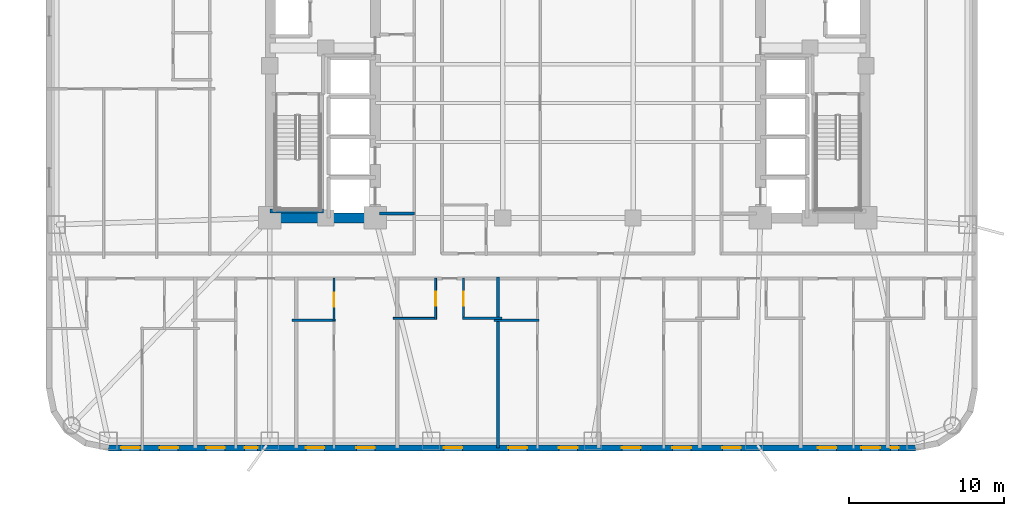
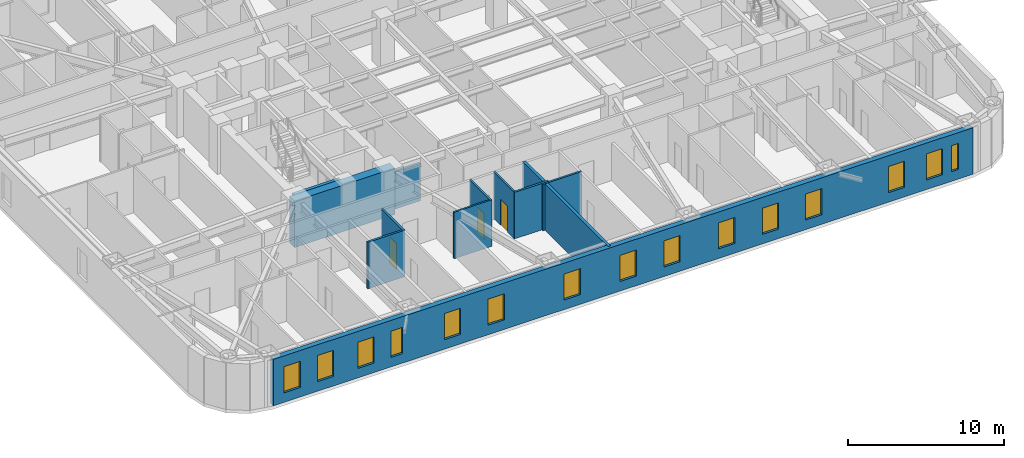
# One storey, part 3 of 11: 15 windows, 12 walls, 3 doors, 18 openings.
"""IFC4 building model written with IfcOpenShell, lengths in metres."""

from ifc_helpers import new_model, si_unit, direction, frame, frame_2d, origin, place, context, subcontext, project, spatial, rectangle, extrude, material, layer, layer_set, type_object, element, fill, save


model = new_model("IFC4")

# Units and contexts
model_context = context("Model", 3, precision=1e-05, world=origin(), true_north=direction((0.0, 1.0)))
body_context = subcontext(model_context, "Body", "Model", "MODEL_VIEW")
ifc_project = project(units=[si_unit("LENGTHUNIT", "METRE"), si_unit("AREAUNIT", "SQUARE_METRE"), si_unit("VOLUMEUNIT", "CUBIC_METRE"), si_unit("PLANEANGLEUNIT", "RADIAN"), si_unit("MASSUNIT", "GRAM", prefix="KILO")], contexts=[model_context])

# Site, building, storey
site_placement = place(None, origin())
site = spatial("IfcSite", under=ifc_project, at=site_placement, CompositionType="ELEMENT")
building_placement = place(site_placement, origin())
building = spatial("IfcBuilding", under=site, at=building_placement, Name="Voryun Gate Residences", CompositionType="ELEMENT")
storey_placement = place(building_placement, frame((0.0, 0.0, 49.39990234375)))
storey = spatial("IfcBuildingStorey", under=building, at=storey_placement, Name="L11", CompositionType="ELEMENT", Elevation=49.39990234375)

# Walls
ifc_material_1 = material(Name="Concrete C60/75", Category="concrete")
ifc_layer_1 = layer(ifc_material_1, 0.64990234375, Name="CW_CORE_650")
ifc_layer_set_1 = layer_set([ifc_layer_1], Name="Concrete C60/75")
wall_type_1 = type_object("IfcWallType", Name="CW_CORE_650", PredefinedType="SHEAR", material=ifc_layer_set_1)
wall_1_placement = place(storey_placement, frame((-19.52490234375, -7.39990234375, 0.0), z_axis=(0.0, 0.0, 1.0), x_axis=(1.0, 0.0, 0.0)))
element("IfcWall", 1, at=wall_1_placement, inside=storey, type_object=wall_type_1, Name="L11 Core shear wall CW-L11-WS", PredefinedType="SHEAR", context=body_context, shape_type="SweptSolid", body=[
    extrude(rectangle(XDim=7.449951171875, YDim=0.64990234375, at=frame_2d((3.72509765625, 0.0))), origin(), (0.0, 0.0, 1.0), 3.650146484375),
])
ifc_material_2 = material(Name="Gypsum acoustic fireboard")
ifc_layer_2 = layer(ifc_material_2, 0.179931640625, Name="W_CORR_RATED_180")
ifc_layer_set_2 = layer_set([ifc_layer_2], Name="Gypsum acoustic fireboard")
wall_type_2 = type_object("IfcWallType", Name="W_CORR_RATED_180", PredefinedType="PARTITIONING", material=ifc_layer_set_2)
wall_2_placement = place(storey_placement, frame((-12.14990234375, -7.1201171875, 0.0), z_axis=(0.0, 0.0, 1.0), x_axis=(1.0, 0.0, 0.0)))
element("IfcWall", 2, at=wall_2_placement, inside=storey, type_object=wall_type_2, Name="Partition wall WP-L11-PLBS-W", PredefinedType="PARTITIONING", context=body_context, shape_type="SweptSolid", body=[
    extrude(rectangle(XDim=2.27001953125, YDim=0.179931640625, at=frame_2d((1.135009765625, 0.0))), origin(), (0.0, 0.0, 1.0), 2.940185546875),
])

# Wall, openings, windows
ifc_material_3 = material(Name="Granite masonry", Category="masonry")
ifc_layer_3 = layer(ifc_material_3, 0.3798828125, Name="W_EXT_GRANITE_380")
ifc_layer_set_3 = layer_set([ifc_layer_3], Name="Granite masonry")
wall_type_3 = type_object("IfcWallType", Name="W_EXT_GRANITE_380", PredefinedType="ELEMENTEDWALL", material=ifc_layer_set_3)
wall_3_placement = place(storey_placement, frame((22.38134765625, -22.2099609375, 0.0), z_axis=(0.0, 0.0, 1.0), x_axis=(-1.0, 0.0, 0.0)))
wall_3 = element("IfcWall", 3, at=wall_3_placement, inside=storey, type_object=wall_type_3, Name="Exterior wall WEXT-L11-01", PredefinedType="ELEMENTEDWALL", context=body_context, shape_type="SweptSolid", body=[
    extrude(rectangle(XDim=51.962646484375, YDim=0.3798828125, at=frame_2d((25.9814453125, 0.0))), origin(), (0.0, 0.0, 1.0), 3.650146484375),
])
opening_1_placement = place(wall_3_placement, frame((49.951904296875, 0.0, 0.75)))
opening_1 = element("IfcOpeningElement", 4, at=opening_1_placement, cuts=wall_3, Name="Opening WN6", PredefinedType="OPENING", context=body_context, shape_type="SweptSolid", body=[
    extrude(rectangle(XDim=1.199951171875, YDim=2.050048828125, at=frame_2d((0.60009765625, 1.02490234375))), frame((0.0, 0.199951171875, 0.0), z_axis=(0.0, -1.0, 0.0), x_axis=(1.0, 0.0, 0.0)), (0.0, 0.0, 1.0), 0.39990234375),
])
opening_2_placement = place(wall_3_placement, frame((47.486328125, 0.0, 0.75)))
opening_2 = element("IfcOpeningElement", 5, at=opening_2_placement, cuts=wall_3, Name="Opening WN6", PredefinedType="OPENING", context=body_context, shape_type="SweptSolid", body=[
    extrude(rectangle(XDim=1.199951171875, YDim=2.050048828125, at=frame_2d((0.60009765625, 1.02490234375))), frame((0.0, 0.199951171875, 0.0), z_axis=(0.0, -1.0, 0.0), x_axis=(1.0, 0.0, 0.0)), (0.0, 0.0, 1.0), 0.39990234375),
])
opening_3_placement = place(wall_3_placement, frame((42.361328125, 0.0, 0.75)))
opening_3 = element("IfcOpeningElement", 6, at=opening_3_placement, cuts=wall_3, Name="Opening WN9", PredefinedType="OPENING", context=body_context, shape_type="SweptSolid", body=[
    extrude(rectangle(XDim=0.85009765625, YDim=2.050048828125, at=frame_2d((0.425048828125, 1.02490234375))), frame((0.0, 0.199951171875, 0.0), z_axis=(0.0, -1.0, 0.0), x_axis=(1.0, 0.0, 0.0)), (0.0, 0.0, 1.0), 0.39990234375),
])
opening_4_placement = place(wall_3_placement, frame((44.476318359375, 0.0, 0.75)))
opening_4 = element("IfcOpeningElement", 7, at=opening_4_placement, cuts=wall_3, Name="Opening WN6", PredefinedType="OPENING", context=body_context, shape_type="SweptSolid", body=[
    extrude(rectangle(XDim=1.199951171875, YDim=2.050048828125, at=frame_2d((0.60009765625, 1.02490234375))), frame((0.0, 0.199951171875, 0.0), z_axis=(0.0, -1.0, 0.0), x_axis=(1.0, 0.0, 0.0)), (0.0, 0.0, 1.0), 0.39990234375),
])
opening_5_placement = place(wall_3_placement, frame((34.811279296875, 0.0, 0.75)))
opening_5 = element("IfcOpeningElement", 8, at=opening_5_placement, cuts=wall_3, Name="Opening WN6", PredefinedType="OPENING", context=body_context, shape_type="SweptSolid", body=[
    extrude(rectangle(XDim=1.199951171875, YDim=2.050048828125, at=frame_2d((0.60009765625, 1.02490234375))), frame((0.0, 0.199951171875, 0.0), z_axis=(0.0, -1.0, 0.0), x_axis=(1.0, 0.0, 0.0)), (0.0, 0.0, 1.0), 0.39990234375),
])
opening_6_placement = place(wall_3_placement, frame((38.061279296875, 0.0, 0.75)))
opening_6 = element("IfcOpeningElement", 9, at=opening_6_placement, cuts=wall_3, Name="Opening WN6", PredefinedType="OPENING", context=body_context, shape_type="SweptSolid", body=[
    extrude(rectangle(XDim=1.199951171875, YDim=2.050048828125, at=frame_2d((0.60009765625, 1.02490234375))), frame((0.0, 0.199951171875, 0.0), z_axis=(0.0, -1.0, 0.0), x_axis=(1.0, 0.0, 0.0)), (0.0, 0.0, 1.0), 0.39990234375),
])
opening_7_placement = place(wall_3_placement, frame((29.17138671875, 0.0, 0.75)))
opening_7 = element("IfcOpeningElement", 10, at=opening_7_placement, cuts=wall_3, Name="Opening WN6", PredefinedType="OPENING", context=body_context, shape_type="SweptSolid", body=[
    extrude(rectangle(XDim=1.199951171875, YDim=2.050048828125, at=frame_2d((0.60009765625, 1.02490234375))), frame((0.0, 0.199951171875, 0.0), z_axis=(0.0, -1.0, 0.0), x_axis=(1.0, 0.0, 0.0)), (0.0, 0.0, 1.0), 0.39990234375),
])
opening_8_placement = place(wall_3_placement, frame((21.75732421875, 0.0, 0.75)))
opening_8 = element("IfcOpeningElement", 11, at=opening_8_placement, cuts=wall_3, Name="Opening WN6", PredefinedType="OPENING", context=body_context, shape_type="SweptSolid", body=[
    extrude(rectangle(XDim=1.199951171875, YDim=2.050048828125, at=frame_2d((0.60009765625, 1.02490234375))), frame((0.0, 0.199951171875, 0.0), z_axis=(0.0, -1.0, 0.0), x_axis=(1.0, 0.0, 0.0)), (0.0, 0.0, 1.0), 0.39990234375),
])
opening_9_placement = place(wall_3_placement, frame((25.00732421875, 0.0, 0.75)))
opening_9 = element("IfcOpeningElement", 12, at=opening_9_placement, cuts=wall_3, Name="Opening WN6", PredefinedType="OPENING", context=body_context, shape_type="SweptSolid", body=[
    extrude(rectangle(XDim=1.199951171875, YDim=2.050048828125, at=frame_2d((0.60009765625, 1.02490234375))), frame((0.0, 0.199951171875, 0.0), z_axis=(0.0, -1.0, 0.0), x_axis=(1.0, 0.0, 0.0)), (0.0, 0.0, 1.0), 0.39990234375),
])
opening_10_placement = place(wall_3_placement, frame((17.69677734375, 0.0, 0.75)))
opening_10 = element("IfcOpeningElement", 13, at=opening_10_placement, cuts=wall_3, Name="Opening WN6", PredefinedType="OPENING", context=body_context, shape_type="SweptSolid", body=[
    extrude(rectangle(XDim=1.199951171875, YDim=2.050048828125, at=frame_2d((0.60009765625, 1.02490234375))), frame((0.0, 0.199951171875, 0.0), z_axis=(0.0, -1.0, 0.0), x_axis=(1.0, 0.0, 0.0)), (0.0, 0.0, 1.0), 0.39990234375),
])
opening_11_placement = place(wall_3_placement, frame((14.44677734375, 0.0, 0.75)))
opening_11 = element("IfcOpeningElement", 14, at=opening_11_placement, cuts=wall_3, Name="Opening WN6", PredefinedType="OPENING", context=body_context, shape_type="SweptSolid", body=[
    extrude(rectangle(XDim=1.199951171875, YDim=2.050048828125, at=frame_2d((0.60009765625, 1.02490234375))), frame((0.0, 0.199951171875, 0.0), z_axis=(0.0, -1.0, 0.0), x_axis=(1.0, 0.0, 0.0)), (0.0, 0.0, 1.0), 0.39990234375),
])
opening_12_placement = place(wall_3_placement, frame((11.231201171875, 0.0, 0.75)))
opening_12 = element("IfcOpeningElement", 15, at=opening_12_placement, cuts=wall_3, Name="Opening WN6", PredefinedType="OPENING", context=body_context, shape_type="SweptSolid", body=[
    extrude(rectangle(XDim=1.199951171875, YDim=2.050048828125, at=frame_2d((0.60009765625, 1.02490234375))), frame((0.0, 0.199951171875, 0.0), z_axis=(0.0, -1.0, 0.0), x_axis=(1.0, 0.0, 0.0)), (0.0, 0.0, 1.0), 0.39990234375),
])
opening_13_placement = place(wall_3_placement, frame((5.081787109375, 0.0, 0.75)))
opening_13 = element("IfcOpeningElement", 16, at=opening_13_placement, cuts=wall_3, Name="Opening WN6", PredefinedType="OPENING", context=body_context, shape_type="SweptSolid", body=[
    extrude(rectangle(XDim=1.199951171875, YDim=2.050048828125, at=frame_2d((0.60009765625, 1.02490234375))), frame((0.0, 0.199951171875, 0.0), z_axis=(0.0, -1.0, 0.0), x_axis=(1.0, 0.0, 0.0)), (0.0, 0.0, 1.0), 0.39990234375),
])
opening_14_placement = place(wall_3_placement, frame((2.27734375, 0.0, 0.75)))
opening_14 = element("IfcOpeningElement", 17, at=opening_14_placement, cuts=wall_3, Name="Opening WN6", PredefinedType="OPENING", context=body_context, shape_type="SweptSolid", body=[
    extrude(rectangle(XDim=1.199951171875, YDim=2.050048828125, at=frame_2d((0.60009765625, 1.02490234375))), frame((0.0, 0.199951171875, 0.0), z_axis=(0.0, -1.0, 0.0), x_axis=(1.0, 0.0, 0.0)), (0.0, 0.0, 1.0), 0.39990234375),
])
opening_15_placement = place(wall_3_placement, frame((1.071044921875, 0.0, 0.75)))
opening_15 = element("IfcOpeningElement", 18, at=opening_15_placement, cuts=wall_3, Name="Opening WN10", PredefinedType="OPENING", context=body_context, shape_type="SweptSolid", body=[
    extrude(rectangle(XDim=0.52001953125, YDim=2.050048828125, at=frame_2d((0.260009765625, 1.02490234375))), frame((0.0, 0.199951171875, 0.0), z_axis=(0.0, -1.0, 0.0), x_axis=(1.0, 0.0, 0.0)), (0.0, 0.0, 1.0), 0.39990234375),
])
ifc_material_4 = material(Name="Laminated low-E glass", Category="glass")
window_type_1 = type_object("IfcWindowType", Name="WN_PAGODA_LANCET_520", PartitioningType="SINGLE_PANEL", PredefinedType="WINDOW", material=ifc_material_4)
window_1_placement = place(opening_15_placement, origin())
window_1 = element("IfcWindow", 19, at=window_1_placement, inside=storey, type_object=window_type_1, Name="Window WN-L11-DWFIX-27", OverallHeight=2.050048828125, OverallWidth=0.52001953125, PartitioningType="SINGLE_PANEL", PredefinedType="WINDOW", context=body_context, shape_type="SweptSolid", body=[
    extrude(rectangle(XDim=0.52001953125, YDim=2.050048828125, at=frame_2d((0.260009765625, 1.02490234375))), frame((0.0, 0.030029296875, 0.0), z_axis=(0.0, -1.0, 0.0), x_axis=(1.0, 0.0, 0.0)), (0.0, 0.0, 1.0), 0.06005859375),
])
fill(opening_15, window_1)
ifc_material_5 = material(Name="Laminated low-E glass", Category="glass")
window_type_2 = type_object("IfcWindowType", Name="WN_POD_SLOT_1200", PartitioningType="SINGLE_PANEL", PredefinedType="WINDOW", material=ifc_material_5)
window_2_placement = place(opening_1_placement, origin())
window_2 = element("IfcWindow", 20, at=window_2_placement, inside=storey, type_object=window_type_2, Name="Window WN-L11-DWFIX-13", OverallHeight=2.050048828125, OverallWidth=1.199951171875, PartitioningType="SINGLE_PANEL", PredefinedType="WINDOW", context=body_context, shape_type="SweptSolid", body=[
    extrude(rectangle(XDim=1.199951171875, YDim=2.050048828125, at=frame_2d((0.60009765625, 1.02490234375))), frame((0.0, 0.030029296875, 0.0), z_axis=(0.0, -1.0, 0.0), x_axis=(1.0, 0.0, 0.0)), (0.0, 0.0, 1.0), 0.06005859375),
])
fill(opening_1, window_2)
window_3_placement = place(opening_2_placement, origin())
window_3 = element("IfcWindow", 21, at=window_3_placement, inside=storey, type_object=window_type_2, Name="Window WN-L11-DWFIX-14", OverallHeight=2.050048828125, OverallWidth=1.199951171875, PartitioningType="SINGLE_PANEL", PredefinedType="WINDOW", context=body_context, shape_type="SweptSolid", body=[
    extrude(rectangle(XDim=1.199951171875, YDim=2.050048828125, at=frame_2d((0.60009765625, 1.02490234375))), frame((0.0, 0.030029296875, 0.0), z_axis=(0.0, -1.0, 0.0), x_axis=(1.0, 0.0, 0.0)), (0.0, 0.0, 1.0), 0.06005859375),
])
fill(opening_2, window_3)
window_4_placement = place(opening_4_placement, origin())
window_4 = element("IfcWindow", 22, at=window_4_placement, inside=storey, type_object=window_type_2, Name="Window WN-L11-DWFIX-16", OverallHeight=2.050048828125, OverallWidth=1.199951171875, PartitioningType="SINGLE_PANEL", PredefinedType="WINDOW", context=body_context, shape_type="SweptSolid", body=[
    extrude(rectangle(XDim=1.199951171875, YDim=2.050048828125, at=frame_2d((0.60009765625, 1.02490234375))), frame((0.0, 0.030029296875, 0.0), z_axis=(0.0, -1.0, 0.0), x_axis=(1.0, 0.0, 0.0)), (0.0, 0.0, 1.0), 0.06005859375),
])
fill(opening_4, window_4)
window_5_placement = place(opening_5_placement, origin())
window_5 = element("IfcWindow", 23, at=window_5_placement, inside=storey, type_object=window_type_2, Name="Window WN-L11-DWFIX-17", OverallHeight=2.050048828125, OverallWidth=1.199951171875, PartitioningType="SINGLE_PANEL", PredefinedType="WINDOW", context=body_context, shape_type="SweptSolid", body=[
    extrude(rectangle(XDim=1.199951171875, YDim=2.050048828125, at=frame_2d((0.60009765625, 1.02490234375))), frame((0.0, 0.030029296875, 0.0), z_axis=(0.0, -1.0, 0.0), x_axis=(1.0, 0.0, 0.0)), (0.0, 0.0, 1.0), 0.06005859375),
])
fill(opening_5, window_5)
window_6_placement = place(opening_6_placement, origin())
window_6 = element("IfcWindow", 24, at=window_6_placement, inside=storey, type_object=window_type_2, Name="Window WN-L11-DWFIX-18", OverallHeight=2.050048828125, OverallWidth=1.199951171875, PartitioningType="SINGLE_PANEL", PredefinedType="WINDOW", context=body_context, shape_type="SweptSolid", body=[
    extrude(rectangle(XDim=1.199951171875, YDim=2.050048828125, at=frame_2d((0.60009765625, 1.02490234375))), frame((0.0, 0.030029296875, 0.0), z_axis=(0.0, -1.0, 0.0), x_axis=(1.0, 0.0, 0.0)), (0.0, 0.0, 1.0), 0.06005859375),
])
fill(opening_6, window_6)
window_7_placement = place(opening_7_placement, origin())
window_7 = element("IfcWindow", 25, at=window_7_placement, inside=storey, type_object=window_type_2, Name="Window WN-L11-DWFIX-19", OverallHeight=2.050048828125, OverallWidth=1.199951171875, PartitioningType="SINGLE_PANEL", PredefinedType="WINDOW", context=body_context, shape_type="SweptSolid", body=[
    extrude(rectangle(XDim=1.199951171875, YDim=2.050048828125, at=frame_2d((0.60009765625, 1.02490234375))), frame((0.0, 0.030029296875, 0.0), z_axis=(0.0, -1.0, 0.0), x_axis=(1.0, 0.0, 0.0)), (0.0, 0.0, 1.0), 0.06005859375),
])
fill(opening_7, window_7)
window_8_placement = place(opening_8_placement, origin())
window_8 = element("IfcWindow", 26, at=window_8_placement, inside=storey, type_object=window_type_2, Name="Window WN-L11-DWFIX-20", OverallHeight=2.050048828125, OverallWidth=1.199951171875, PartitioningType="SINGLE_PANEL", PredefinedType="WINDOW", context=body_context, shape_type="SweptSolid", body=[
    extrude(rectangle(XDim=1.199951171875, YDim=2.050048828125, at=frame_2d((0.60009765625, 1.02490234375))), frame((0.0, 0.030029296875, 0.0), z_axis=(0.0, -1.0, 0.0), x_axis=(1.0, 0.0, 0.0)), (0.0, 0.0, 1.0), 0.06005859375),
])
fill(opening_8, window_8)
window_9_placement = place(opening_9_placement, origin())
window_9 = element("IfcWindow", 27, at=window_9_placement, inside=storey, type_object=window_type_2, Name="Window WN-L11-DWFIX-21", OverallHeight=2.050048828125, OverallWidth=1.199951171875, PartitioningType="SINGLE_PANEL", PredefinedType="WINDOW", context=body_context, shape_type="SweptSolid", body=[
    extrude(rectangle(XDim=1.199951171875, YDim=2.050048828125, at=frame_2d((0.60009765625, 1.02490234375))), frame((0.0, 0.030029296875, 0.0), z_axis=(0.0, -1.0, 0.0), x_axis=(1.0, 0.0, 0.0)), (0.0, 0.0, 1.0), 0.06005859375),
])
fill(opening_9, window_9)
window_10_placement = place(opening_10_placement, origin())
window_10 = element("IfcWindow", 28, at=window_10_placement, inside=storey, type_object=window_type_2, Name="Window WN-L11-DWFIX-22", OverallHeight=2.050048828125, OverallWidth=1.199951171875, PartitioningType="SINGLE_PANEL", PredefinedType="WINDOW", context=body_context, shape_type="SweptSolid", body=[
    extrude(rectangle(XDim=1.199951171875, YDim=2.050048828125, at=frame_2d((0.60009765625, 1.02490234375))), frame((0.0, 0.030029296875, 0.0), z_axis=(0.0, -1.0, 0.0), x_axis=(1.0, 0.0, 0.0)), (0.0, 0.0, 1.0), 0.06005859375),
])
fill(opening_10, window_10)
window_11_placement = place(opening_11_placement, origin())
window_11 = element("IfcWindow", 29, at=window_11_placement, inside=storey, type_object=window_type_2, Name="Window WN-L11-DWFIX-23", OverallHeight=2.050048828125, OverallWidth=1.199951171875, PartitioningType="SINGLE_PANEL", PredefinedType="WINDOW", context=body_context, shape_type="SweptSolid", body=[
    extrude(rectangle(XDim=1.199951171875, YDim=2.050048828125, at=frame_2d((0.60009765625, 1.02490234375))), frame((0.0, 0.030029296875, 0.0), z_axis=(0.0, -1.0, 0.0), x_axis=(1.0, 0.0, 0.0)), (0.0, 0.0, 1.0), 0.06005859375),
])
fill(opening_11, window_11)
window_12_placement = place(opening_12_placement, origin())
window_12 = element("IfcWindow", 30, at=window_12_placement, inside=storey, type_object=window_type_2, Name="Window WN-L11-DWFIX-24", OverallHeight=2.050048828125, OverallWidth=1.199951171875, PartitioningType="SINGLE_PANEL", PredefinedType="WINDOW", context=body_context, shape_type="SweptSolid", body=[
    extrude(rectangle(XDim=1.199951171875, YDim=2.050048828125, at=frame_2d((0.60009765625, 1.02490234375))), frame((0.0, 0.030029296875, 0.0), z_axis=(0.0, -1.0, 0.0), x_axis=(1.0, 0.0, 0.0)), (0.0, 0.0, 1.0), 0.06005859375),
])
fill(opening_12, window_12)
window_13_placement = place(opening_13_placement, origin())
window_13 = element("IfcWindow", 31, at=window_13_placement, inside=storey, type_object=window_type_2, Name="Window WN-L11-DWFIX-25", OverallHeight=2.050048828125, OverallWidth=1.199951171875, PartitioningType="SINGLE_PANEL", PredefinedType="WINDOW", context=body_context, shape_type="SweptSolid", body=[
    extrude(rectangle(XDim=1.199951171875, YDim=2.050048828125, at=frame_2d((0.60009765625, 1.02490234375))), frame((0.0, 0.030029296875, 0.0), z_axis=(0.0, -1.0, 0.0), x_axis=(1.0, 0.0, 0.0)), (0.0, 0.0, 1.0), 0.06005859375),
])
fill(opening_13, window_13)
window_14_placement = place(opening_14_placement, origin())
window_14 = element("IfcWindow", 32, at=window_14_placement, inside=storey, type_object=window_type_2, Name="Window WN-L11-DWFIX-26", OverallHeight=2.050048828125, OverallWidth=1.199951171875, PartitioningType="SINGLE_PANEL", PredefinedType="WINDOW", context=body_context, shape_type="SweptSolid", body=[
    extrude(rectangle(XDim=1.199951171875, YDim=2.050048828125, at=frame_2d((0.60009765625, 1.02490234375))), frame((0.0, 0.030029296875, 0.0), z_axis=(0.0, -1.0, 0.0), x_axis=(1.0, 0.0, 0.0)), (0.0, 0.0, 1.0), 0.06005859375),
])
fill(opening_14, window_14)
ifc_material_6 = material(Name="Laminated low-E glass", Category="glass")
window_type_3 = type_object("IfcWindowType", Name="WN_RES_CASEMENT_850", PartitioningType="SINGLE_PANEL", PredefinedType="WINDOW", material=ifc_material_6)
window_15_placement = place(opening_3_placement, origin())
window_15 = element("IfcWindow", 33, at=window_15_placement, inside=storey, type_object=window_type_3, Name="Window WN-L11-DWFIX-15", OverallHeight=2.050048828125, OverallWidth=0.85009765625, PartitioningType="SINGLE_PANEL", PredefinedType="WINDOW", context=body_context, shape_type="SweptSolid", body=[
    extrude(rectangle(XDim=0.85009765625, YDim=2.050048828125, at=frame_2d((0.425048828125, 1.02490234375))), frame((0.0, 0.030029296875, 0.0), z_axis=(0.0, -1.0, 0.0), x_axis=(1.0, 0.0, 0.0)), (0.0, 0.0, 1.0), 0.06005859375),
])
fill(opening_3, window_15)

# Walls
ifc_material_7 = material(Name="Concrete C40/50", Category="concrete")
ifc_layer_4 = layer(ifc_material_7, 0.219970703125, Name="W_PARTY_ACOUSTIC_220")
ifc_layer_set_4 = layer_set([ifc_layer_4], Name="Concrete C40/50")
wall_type_4 = type_object("IfcWallType", Name="W_PARTY_ACOUSTIC_220", PredefinedType="PARTITIONING", material=ifc_layer_set_4)
wall_4_placement = place(storey_placement, frame((-4.5, -22.2099609375, 0.0), z_axis=(0.0, 0.0, 1.0), x_axis=(0.0, 1.0, 0.0)))
element("IfcWall", 34, at=wall_4_placement, inside=storey, type_object=wall_type_4, Name="Partition wall WP-L11-SPTY-4", PredefinedType="PARTITIONING", context=body_context, shape_type="SweptSolid", body=[
    extrude(rectangle(XDim=10.989990234375, YDim=0.219970703125, at=frame_2d((5.4951171875, 0.0))), origin(), (0.0, 0.0, 1.0), 3.650146484375),
])
ifc_material_8 = material(Name="Concrete C50/60", Category="concrete")
ifc_layer_5 = layer(ifc_material_8, 0.25, Name="W_SHAFT_RC250")
ifc_layer_set_5 = layer_set([ifc_layer_5], Name="Concrete C50/60")
wall_type_5 = type_object("IfcWallType", Name="W_SHAFT_RC250", PredefinedType="SOLIDWALL", material=ifc_layer_set_5)
wall_5_placement = place(storey_placement, frame((-19.199951171875, -6.965087890625, 0.0), z_axis=(0.0, 0.0, 1.0), x_axis=(1.0, 0.0, 0.0)))
element("IfcWall", 35, at=wall_5_placement, inside=storey, type_object=wall_type_5, Name="L11 Stair shaft structural wall W-STS", PredefinedType="SOLIDWALL", context=body_context, shape_type="SweptSolid", body=[
    extrude(rectangle(XDim=3.4599609375, YDim=0.25, at=frame_2d((1.72998046875, 0.0))), origin(), (0.0, 0.0, 1.0), 3.650146484375),
])

# Wall, opening, door
ifc_material_9 = material(Name="Gypsum acoustic partition")
ifc_layer_6 = layer(ifc_material_9, 0.125, Name="W_UNIT_PART_125")
ifc_layer_set_6 = layer_set([ifc_layer_6], Name="Gypsum acoustic partition")
wall_type_6 = type_object("IfcWallType", Name="W_UNIT_PART_125", PredefinedType="PARTITIONING", material=ifc_layer_set_6)
wall_6_placement = place(storey_placement, frame((-8.51611328125, -13.929931640625, 0.0), z_axis=(0.0, 0.0, 1.0), x_axis=(0.0, 1.0, 0.0)))
wall_6 = element("IfcWall", 36, at=wall_6_placement, inside=storey, type_object=wall_type_6, Name="Partition wall WP-L11-S4-CVK", PredefinedType="PARTITIONING", context=body_context, shape_type="SweptSolid", body=[
    extrude(rectangle(XDim=2.64990234375, YDim=0.125, at=frame_2d((1.324951171875, 0.0))), origin(), (0.0, 0.0, 1.0), 3.650146484375),
])
opening_16_placement = place(wall_6_placement, frame((0.875, 0.0, 0.0)))
opening_16 = element("IfcOpeningElement", 37, at=opening_16_placement, cuts=wall_6, Name="Opening D-INT-2", PredefinedType="OPENING", context=body_context, shape_type="SweptSolid", body=[
    extrude(rectangle(XDim=0.89990234375, YDim=2.050048828125, at=frame_2d((0.449951171875, 1.02490234375))), frame((0.0, 0.072509765625, 0.0), z_axis=(0.0, -1.0, 0.0), x_axis=(1.0, 0.0, 0.0)), (0.0, 0.0, 1.0), 0.14501953125),
])
ifc_material_10 = material(Name="Architectural oak veneer")
door_type = type_object("IfcDoorType", Name="DR_INT_BATH_900", OperationType="NOTDEFINED", PredefinedType="DOOR", material=ifc_material_10)
door_1_placement = place(opening_16_placement, origin())
door_1 = element("IfcDoor", 38, at=door_1_placement, inside=storey, type_object=door_type, Name="Door DR-L11-S4-DK", OperationType="SINGLE_SWING_LEFT", OverallHeight=2.050048828125, OverallWidth=0.89990234375, PredefinedType="DOOR", context=body_context, shape_type="SweptSolid", body=[
    extrude(rectangle(XDim=0.89990234375, YDim=2.050048828125, at=frame_2d((0.449951171875, 1.02490234375))), frame((0.0, 0.02490234375, 0.0), z_axis=(0.0, -1.0, 0.0), x_axis=(1.0, 0.0, 0.0)), (0.0, 0.0, 1.0), 0.050048828125),
])
fill(opening_16, door_1)

# Walls
wall_7_placement = place(storey_placement, frame((-11.260009765625, -13.8701171875, 0.0), z_axis=(0.0, 0.0, 1.0), x_axis=(1.0, 0.0, 0.0)))
element("IfcWall", 39, at=wall_7_placement, inside=storey, type_object=wall_type_6, Name="Partition wall WP-L11-S4-CHK", PredefinedType="PARTITIONING", context=body_context, shape_type="SweptSolid", body=[
    extrude(rectangle(XDim=2.803955078125, YDim=0.125, at=frame_2d((1.40185546875, 0.0))), origin(), (0.0, 0.0, 1.0), 3.650146484375),
])
ifc_material_11 = material(Name="Gypsum moisture-resistant partition")
ifc_layer_7 = layer(ifc_material_11, 0.14990234375, Name="W_WET_PLUMB_150")
ifc_layer_set_7 = layer_set([ifc_layer_7], Name="Gypsum moisture-resistant partition")
wall_type_7 = type_object("IfcWallType", Name="W_WET_PLUMB_150", PredefinedType="PLUMBINGWALL", material=ifc_layer_set_7)
wall_8_placement = place(storey_placement, frame((-17.760009765625, -14.0, 0.0), z_axis=(0.0, 0.0, 1.0), x_axis=(1.0, 0.0, 0.0)))
element("IfcWall", 40, at=wall_8_placement, inside=storey, type_object=wall_type_7, Name="Partition wall WP-L11-S3-SKB", PredefinedType="PLUMBINGWALL", context=body_context, shape_type="SweptSolid", body=[
    extrude(rectangle(XDim=2.780029296875, YDim=0.14990234375, at=frame_2d((1.39013671875, 0.0))), origin(), (0.0, 0.0, 1.0), 3.650146484375),
])

# Wall, opening, door
wall_9_placement = place(storey_placement, frame((-15.06005859375, -14.0400390625, 0.0), z_axis=(0.0, 0.0, 1.0), x_axis=(0.0, 1.0, 0.0)))
wall_9 = element("IfcWall", 41, at=wall_9_placement, inside=storey, type_object=wall_type_7, Name="Partition wall WP-L11-S3-SVT2", PredefinedType="PLUMBINGWALL", context=body_context, shape_type="SweptSolid", body=[
    extrude(rectangle(XDim=2.760009765625, YDim=0.14990234375, at=frame_2d((1.3798828125, 0.0))), origin(), (0.0, 0.0, 1.0), 3.650146484375),
])
opening_17_placement = place(wall_9_placement, frame((0.929931640625, 0.0, 0.0)))
opening_17 = element("IfcOpeningElement", 42, at=opening_17_placement, cuts=wall_9, Name="Opening D-INT-2", PredefinedType="OPENING", context=body_context, shape_type="SweptSolid", body=[
    extrude(rectangle(XDim=0.89990234375, YDim=2.050048828125, at=frame_2d((0.449951171875, 1.02490234375))), frame((0.0, 0.0849609375, 0.0), z_axis=(0.0, -1.0, 0.0), x_axis=(1.0, 0.0, 0.0)), (0.0, 0.0, 1.0), 0.169921875),
])
door_2_placement = place(opening_17_placement, origin())
door_2 = element("IfcDoor", 43, at=door_2_placement, inside=storey, type_object=door_type, Name="Door DR-L11-S3-DB", OperationType="SINGLE_SWING_RIGHT", OverallHeight=2.050048828125, OverallWidth=0.89990234375, PredefinedType="DOOR", context=body_context, shape_type="SweptSolid", body=[
    extrude(rectangle(XDim=0.89990234375, YDim=2.050048828125, at=frame_2d((0.449951171875, 1.02490234375))), frame((0.0, 0.02490234375, 0.0), z_axis=(0.0, -1.0, 0.0), x_axis=(1.0, 0.0, 0.0)), (0.0, 0.0, 1.0), 0.050048828125),
])
fill(opening_17, door_2)

wall_10_placement = place(storey_placement, frame((-6.72900390625, -13.929931640625, 0.0), z_axis=(0.0, 0.0, 1.0), x_axis=(0.0, 1.0, 0.0)))
wall_10 = element("IfcWall", 44, at=wall_10_placement, inside=storey, type_object=wall_type_7, Name="Partition wall WP-L11-S4-CVB", PredefinedType="PLUMBINGWALL", context=body_context, shape_type="SweptSolid", body=[
    extrude(rectangle(XDim=2.64990234375, YDim=0.14990234375, at=frame_2d((1.324951171875, 0.0))), origin(), (0.0, 0.0, 1.0), 3.650146484375),
])
opening_18_placement = place(wall_10_placement, frame((0.875, 0.0, 0.0)))
opening_18 = element("IfcOpeningElement", 45, at=opening_18_placement, cuts=wall_10, Name="Opening D-INT-2", PredefinedType="OPENING", context=body_context, shape_type="SweptSolid", body=[
    extrude(rectangle(XDim=0.89990234375, YDim=2.050048828125, at=frame_2d((0.449951171875, 1.02490234375))), frame((0.0, 0.0849609375, 0.0), z_axis=(0.0, -1.0, 0.0), x_axis=(1.0, 0.0, 0.0)), (0.0, 0.0, 1.0), 0.169921875),
])
door_3_placement = place(opening_18_placement, origin())
door_3 = element("IfcDoor", 46, at=door_3_placement, inside=storey, type_object=door_type, Name="Door DR-L11-S4-DB", OperationType="SINGLE_SWING_RIGHT", OverallHeight=2.050048828125, OverallWidth=0.89990234375, PredefinedType="DOOR", context=body_context, shape_type="SweptSolid", body=[
    extrude(rectangle(XDim=0.89990234375, YDim=2.050048828125, at=frame_2d((0.449951171875, 1.02490234375))), frame((0.0, 0.02490234375, 0.0), z_axis=(0.0, -1.0, 0.0), x_axis=(1.0, 0.0, 0.0)), (0.0, 0.0, 1.0), 0.050048828125),
])
fill(opening_18, door_3)

# Walls
wall_11_placement = place(storey_placement, frame((-6.7890625, -13.8701171875, 0.0), z_axis=(0.0, 0.0, 1.0), x_axis=(1.0, 0.0, 0.0)))
element("IfcWall", 47, at=wall_11_placement, inside=storey, type_object=wall_type_7, Name="Partition wall WP-L11-S4-CHB", PredefinedType="PLUMBINGWALL", context=body_context, shape_type="SweptSolid", body=[
    extrude(rectangle(XDim=2.549072265625, YDim=0.14990234375, at=frame_2d((1.2744140625, 0.0))), origin(), (0.0, 0.0, 1.0), 3.650146484375),
])
wall_12_placement = place(storey_placement, frame((-4.760009765625, -14.0, 0.0), z_axis=(0.0, 0.0, 1.0), x_axis=(1.0, 0.0, 0.0)))
element("IfcWall", 48, at=wall_12_placement, inside=storey, type_object=wall_type_7, Name="Partition wall WP-L11-S5-SKB", PredefinedType="PLUMBINGWALL", context=body_context, shape_type="SweptSolid", body=[
    extrude(rectangle(XDim=2.887939453125, YDim=0.14990234375, at=frame_2d((1.44384765625, 0.0))), origin(), (0.0, 0.0, 1.0), 3.650146484375),
])

save(model, "model.ifc")
